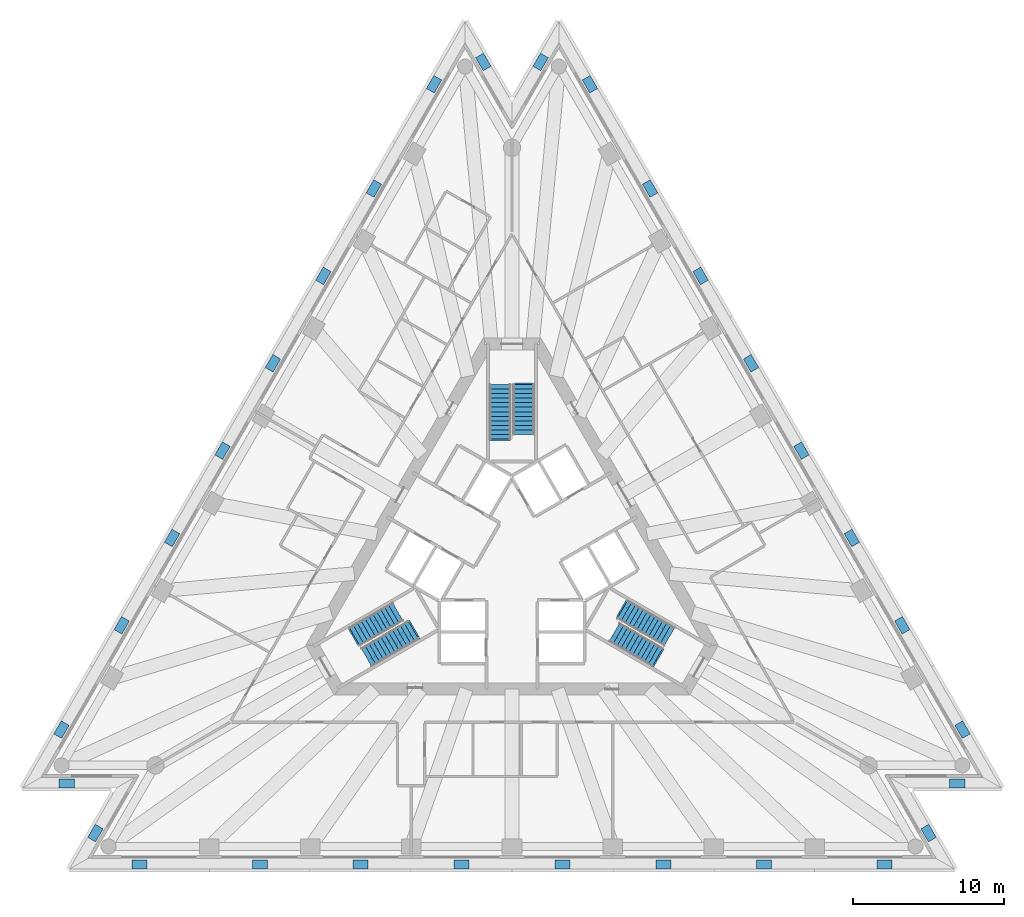
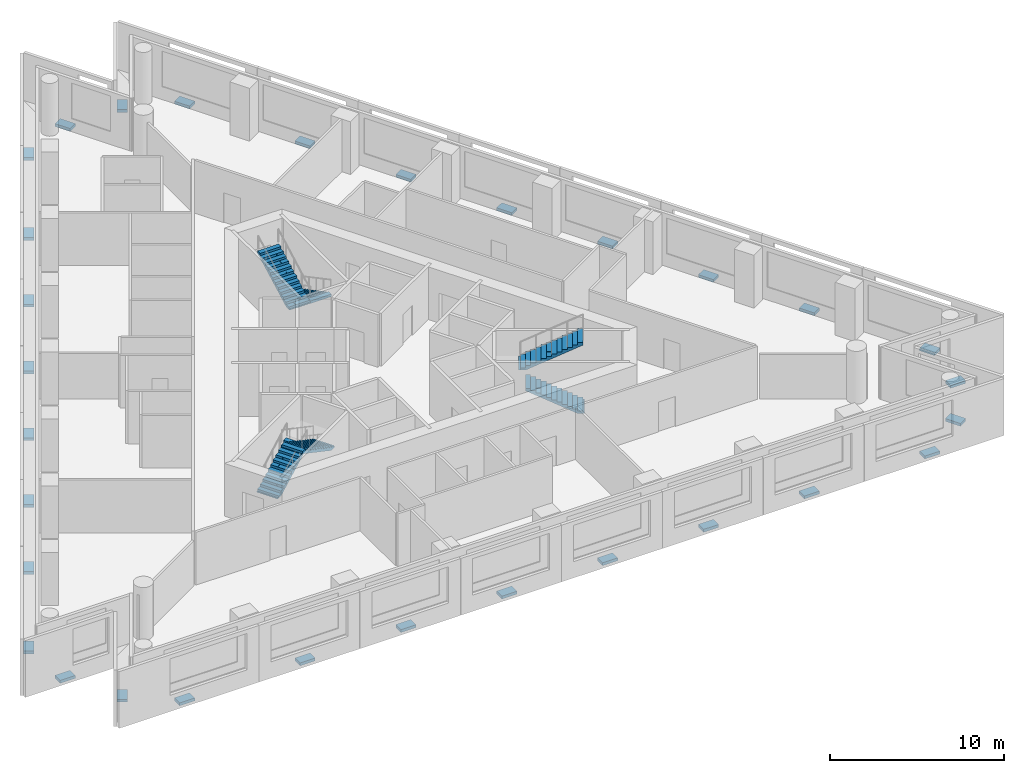
# One storey, part 7 of 9: 30 discrete accessories, 6 stair flights, 3 elements without a shape of their own.
"""IFC4 building model written with IfcOpenShell, lengths in metres."""

from ifc_helpers import new_model, si_unit, direction, frame, origin, origin_2d, place, context, subcontext, project, spatial, polyline, rectangle, outline, extrude, material, type_object, element, aggregate, save


model = new_model("IFC4")

# Units and contexts
model_context = context("Model", 3, precision=1e-05, world=origin(), true_north=direction((0.0, 1.0)))
body_context = subcontext(model_context, "Body", "Model", "MODEL_VIEW")
ifc_project = project(units=[si_unit("LENGTHUNIT", "METRE"), si_unit("AREAUNIT", "SQUARE_METRE"), si_unit("VOLUMEUNIT", "CUBIC_METRE"), si_unit("PLANEANGLEUNIT", "RADIAN"), si_unit("MASSUNIT", "GRAM", prefix="KILO")], contexts=[model_context])

# Site, building, storey
site_placement = place(None, origin())
site = spatial("IfcSite", under=ifc_project, at=site_placement, CompositionType="ELEMENT")
building_placement = place(site_placement, origin())
building = spatial("IfcBuilding", under=site, at=building_placement, Name="Triada Interchange Tower", CompositionType="ELEMENT")
storey_placement = place(building_placement, frame((0.0, 0.0, 144.300048828125)))
storey = spatial("IfcBuildingStorey", under=building, at=storey_placement, Name="L33", CompositionType="ELEMENT", Elevation=144.300048828125)

# Stair, stair flights
ifc_material_1 = material(Name="Concrete C35/45", Category="concrete")
stair_type = type_object("IfcStairType", Name="HALF TURN STAIR 1400", PredefinedType="HALF_TURN_STAIR", material=ifc_material_1)
stair_1_placement = place(storey_placement, origin())
stair_1 = element("IfcStair", 1, at=stair_1_placement, inside=storey, type_object=stair_type, Name="Exit stair S32-1", PredefinedType="HALF_TURN_STAIR")
stair_flight_type = type_object("IfcStairFlightType", Name="STRAIGHT STAIR FLIGHT 1400", PredefinedType="STRAIGHT", material=ifc_material_1)
stair_flight_1_placement = place(storey_placement, frame((0.800048828125, 11.60009765625, 0.0), z_axis=(0.0, 0.0, 1.0), x_axis=(0.0, -1.0, 0.0)))
stair_flight_1 = element("IfcStairFlight", 2, at=stair_flight_1_placement, type_object=stair_flight_type, Name="S32-1 flight 1", NumberOfRisers=12, NumberOfTreads=11, PredefinedType="STRAIGHT", RiserHeight=0.16, TreadLength=0.3, context=body_context, shape_type="SweptSolid", body=[
    extrude(outline(polyline([(-0.10009765625, 0.0), (-0.10009765625, 0.02001953125), (0.0, 0.02001953125), (0.0, 0.159912109375), (0.300048828125, 0.159912109375), (0.300048828125, 0.320068359375), (0.60009765625, 0.320068359375), (0.60009765625, 0.47998046875), (0.89990234375, 0.47998046875), (0.89990234375, 0.639892578125), (1.199951171875, 0.639892578125), (1.199951171875, 0.800048828125), (1.5, 0.800048828125), (1.5, 0.9599609375), (1.800048828125, 0.9599609375), (1.800048828125, 1.1201171875), (2.10009765625, 1.1201171875), (2.10009765625, 1.280029296875), (2.39990234375, 1.280029296875), (2.39990234375, 1.43994140625), (2.699951171875, 1.43994140625), (2.699951171875, 1.60009765625), (3.0, 1.60009765625), (3.0, 1.760009765625), (3.300048828125, 1.760009765625), (3.303955078125, 1.760009765625), (3.303955078125, 1.919921875), (3.303955078125, 1.590087890625), (0.318603515625, 0.0), (-0.10009765625, 0.0)])), frame((0.0, 0.699951171875, 0.0), z_axis=(0.0, -1.0, 0.0), x_axis=(1.0, 0.0, 0.0)), (0.0, 0.0, 1.0), 0.46533203125),
    extrude(outline(polyline([(-0.10009765625, 0.0), (-0.10009765625, 0.02001953125), (0.0, 0.02001953125), (0.0, 0.159912109375), (0.300048828125, 0.159912109375), (0.300048828125, 0.320068359375), (0.60009765625, 0.320068359375), (0.60009765625, 0.47998046875), (0.89990234375, 0.47998046875), (0.89990234375, 0.639892578125), (1.199951171875, 0.639892578125), (1.199951171875, 0.800048828125), (1.5, 0.800048828125), (1.5, 0.9599609375), (1.800048828125, 0.9599609375), (1.800048828125, 1.1201171875), (2.10009765625, 1.1201171875), (2.10009765625, 1.280029296875), (2.39990234375, 1.280029296875), (2.39990234375, 1.43994140625), (2.699951171875, 1.43994140625), (2.699951171875, 1.60009765625), (3.0, 1.60009765625), (3.0, 1.760009765625), (3.300048828125, 1.760009765625), (3.303955078125, 1.760009765625), (3.303955078125, 1.919921875), (3.303955078125, 1.590087890625), (0.318603515625, 0.0), (-0.10009765625, 0.0)])), frame((0.0, 0.232666015625, 0.0), z_axis=(0.0, -1.0, 0.0), x_axis=(1.0, 0.0, 0.0)), (0.0, 0.0, 1.0), 0.46533203125),
    extrude(outline(polyline([(-0.10009765625, 0.0), (-0.10009765625, 0.02001953125), (0.0, 0.02001953125), (0.0, 0.159912109375), (0.300048828125, 0.159912109375), (0.300048828125, 0.320068359375), (0.60009765625, 0.320068359375), (0.60009765625, 0.47998046875), (0.89990234375, 0.47998046875), (0.89990234375, 0.639892578125), (1.199951171875, 0.639892578125), (1.199951171875, 0.800048828125), (1.5, 0.800048828125), (1.5, 0.9599609375), (1.800048828125, 0.9599609375), (1.800048828125, 1.1201171875), (2.10009765625, 1.1201171875), (2.10009765625, 1.280029296875), (2.39990234375, 1.280029296875), (2.39990234375, 1.43994140625), (2.699951171875, 1.43994140625), (2.699951171875, 1.60009765625), (3.0, 1.60009765625), (3.0, 1.760009765625), (3.300048828125, 1.760009765625), (3.303955078125, 1.760009765625), (3.303955078125, 1.919921875), (3.303955078125, 1.590087890625), (0.318603515625, 0.0), (-0.10009765625, 0.0)])), frame((0.0, -0.234619140625, 0.0), z_axis=(0.0, -1.0, 0.0), x_axis=(1.0, 0.0, 0.0)), (0.0, 0.0, 1.0), 0.46533203125),
])
stair_flight_2_placement = place(storey_placement, frame((-0.800048828125, 8.0, 1.919921875), z_axis=(0.0, 0.0, 1.0), x_axis=(0.0, 1.0, 0.0)))
stair_flight_2 = element("IfcStairFlight", 3, at=stair_flight_2_placement, type_object=stair_flight_type, Name="S32-1 flight 2", NumberOfRisers=13, NumberOfTreads=12, PredefinedType="STRAIGHT", RiserHeight=0.16, TreadLength=0.3, context=body_context, shape_type="SweptSolid", body=[
    extrude(outline(polyline([(-0.10009765625, 0.0), (-0.10009765625, 0.02001953125), (0.0, 0.02001953125), (0.0, 0.159912109375), (0.300048828125, 0.159912109375), (0.300048828125, 0.320068359375), (0.60009765625, 0.320068359375), (0.60009765625, 0.47998046875), (0.89990234375, 0.47998046875), (0.89990234375, 0.639892578125), (1.199951171875, 0.639892578125), (1.199951171875, 0.800048828125), (1.5, 0.800048828125), (1.5, 0.9599609375), (1.800048828125, 0.9599609375), (1.800048828125, 1.1201171875), (2.10009765625, 1.1201171875), (2.10009765625, 1.280029296875), (2.39990234375, 1.280029296875), (2.39990234375, 1.43994140625), (2.699951171875, 1.43994140625), (2.699951171875, 1.60009765625), (3.0, 1.60009765625), (3.0, 1.760009765625), (3.300048828125, 1.760009765625), (3.300048828125, 1.919921875), (3.60009765625, 1.919921875), (3.60400390625, 1.919921875), (3.60400390625, 2.080078125), (3.60400390625, 1.75), (0.318603515625, 0.0), (-0.10009765625, 0.0)])), frame((0.0, 0.699951171875, 0.0), z_axis=(0.0, -1.0, 0.0), x_axis=(1.0, 0.0, 0.0)), (0.0, 0.0, 1.0), 0.46533203125),
    extrude(outline(polyline([(-0.10009765625, 0.0), (-0.10009765625, 0.02001953125), (0.0, 0.02001953125), (0.0, 0.159912109375), (0.300048828125, 0.159912109375), (0.300048828125, 0.320068359375), (0.60009765625, 0.320068359375), (0.60009765625, 0.47998046875), (0.89990234375, 0.47998046875), (0.89990234375, 0.639892578125), (1.199951171875, 0.639892578125), (1.199951171875, 0.800048828125), (1.5, 0.800048828125), (1.5, 0.9599609375), (1.800048828125, 0.9599609375), (1.800048828125, 1.1201171875), (2.10009765625, 1.1201171875), (2.10009765625, 1.280029296875), (2.39990234375, 1.280029296875), (2.39990234375, 1.43994140625), (2.699951171875, 1.43994140625), (2.699951171875, 1.60009765625), (3.0, 1.60009765625), (3.0, 1.760009765625), (3.300048828125, 1.760009765625), (3.300048828125, 1.919921875), (3.60009765625, 1.919921875), (3.60400390625, 1.919921875), (3.60400390625, 2.080078125), (3.60400390625, 1.75), (0.318603515625, 0.0), (-0.10009765625, 0.0)])), frame((0.0, 0.232666015625, 0.0), z_axis=(0.0, -1.0, 0.0), x_axis=(1.0, 0.0, 0.0)), (0.0, 0.0, 1.0), 0.46533203125),
    extrude(outline(polyline([(-0.10009765625, 0.0), (-0.10009765625, 0.02001953125), (0.0, 0.02001953125), (0.0, 0.159912109375), (0.300048828125, 0.159912109375), (0.300048828125, 0.320068359375), (0.60009765625, 0.320068359375), (0.60009765625, 0.47998046875), (0.89990234375, 0.47998046875), (0.89990234375, 0.639892578125), (1.199951171875, 0.639892578125), (1.199951171875, 0.800048828125), (1.5, 0.800048828125), (1.5, 0.9599609375), (1.800048828125, 0.9599609375), (1.800048828125, 1.1201171875), (2.10009765625, 1.1201171875), (2.10009765625, 1.280029296875), (2.39990234375, 1.280029296875), (2.39990234375, 1.43994140625), (2.699951171875, 1.43994140625), (2.699951171875, 1.60009765625), (3.0, 1.60009765625), (3.0, 1.760009765625), (3.300048828125, 1.760009765625), (3.300048828125, 1.919921875), (3.60009765625, 1.919921875), (3.60400390625, 1.919921875), (3.60400390625, 2.080078125), (3.60400390625, 1.75), (0.318603515625, 0.0), (-0.10009765625, 0.0)])), frame((0.0, -0.234619140625, 0.0), z_axis=(0.0, -1.0, 0.0), x_axis=(1.0, 0.0, 0.0)), (0.0, 0.0, 1.0), 0.46533203125),
])
aggregate(stair_1, [stair_flight_1, stair_flight_2])

stair_2_placement = place(storey_placement, origin())
stair_2 = element("IfcStair", 4, at=stair_2_placement, inside=storey, type_object=stair_type, Name="Exit stair S32-2", PredefinedType="HALF_TURN_STAIR")
stair_flight_3_placement = place(storey_placement, frame((-10.446044921875, -5.10693359375, 0.0), z_axis=(0.0, 0.0, 1.0), x_axis=(0.866025403784, 0.5, 0.0)))
stair_flight_3 = element("IfcStairFlight", 5, at=stair_flight_3_placement, type_object=stair_flight_type, Name="S32-2 flight 1", NumberOfRisers=12, NumberOfTreads=11, PredefinedType="STRAIGHT", RiserHeight=0.16, TreadLength=0.3, context=body_context, shape_type="SweptSolid", body=[
    extrude(outline(polyline([(-0.10009765625, 0.0), (-0.10009765625, 0.02001953125), (0.0, 0.02001953125), (0.0, 0.159912109375), (0.300048828125, 0.159912109375), (0.300048828125, 0.320068359375), (0.60009765625, 0.320068359375), (0.60009765625, 0.47998046875), (0.89990234375, 0.47998046875), (0.89990234375, 0.639892578125), (1.199951171875, 0.639892578125), (1.199951171875, 0.800048828125), (1.5, 0.800048828125), (1.5, 0.9599609375), (1.800048828125, 0.9599609375), (1.800048828125, 1.1201171875), (2.10009765625, 1.1201171875), (2.10009765625, 1.280029296875), (2.39990234375, 1.280029296875), (2.39990234375, 1.43994140625), (2.699951171875, 1.43994140625), (2.699951171875, 1.60009765625), (3.0, 1.60009765625), (3.0, 1.760009765625), (3.300048828125, 1.760009765625), (3.303955078125, 1.760009765625), (3.303955078125, 1.919921875), (3.303955078125, 1.590087890625), (0.318603515625, 0.0), (-0.10009765625, 0.0)])), frame((0.0, 0.699951171875, 0.0), z_axis=(0.0, -1.0, 0.0), x_axis=(1.0, 0.0, 0.0)), (0.0, 0.0, 1.0), 0.46533203125),
    extrude(outline(polyline([(-0.10009765625, 0.0), (-0.10009765625, 0.02001953125), (0.0, 0.02001953125), (0.0, 0.159912109375), (0.300048828125, 0.159912109375), (0.300048828125, 0.320068359375), (0.60009765625, 0.320068359375), (0.60009765625, 0.47998046875), (0.89990234375, 0.47998046875), (0.89990234375, 0.639892578125), (1.199951171875, 0.639892578125), (1.199951171875, 0.800048828125), (1.5, 0.800048828125), (1.5, 0.9599609375), (1.800048828125, 0.9599609375), (1.800048828125, 1.1201171875), (2.10009765625, 1.1201171875), (2.10009765625, 1.280029296875), (2.39990234375, 1.280029296875), (2.39990234375, 1.43994140625), (2.699951171875, 1.43994140625), (2.699951171875, 1.60009765625), (3.0, 1.60009765625), (3.0, 1.760009765625), (3.300048828125, 1.760009765625), (3.303955078125, 1.760009765625), (3.303955078125, 1.919921875), (3.303955078125, 1.590087890625), (0.318603515625, 0.0), (-0.10009765625, 0.0)])), frame((0.0, 0.232666015625, 0.0), z_axis=(0.0, -1.0, 0.0), x_axis=(1.0, 0.0, 0.0)), (0.0, 0.0, 1.0), 0.46533203125),
    extrude(outline(polyline([(-0.10009765625, 0.0), (-0.10009765625, 0.02001953125), (0.0, 0.02001953125), (0.0, 0.159912109375), (0.300048828125, 0.159912109375), (0.300048828125, 0.320068359375), (0.60009765625, 0.320068359375), (0.60009765625, 0.47998046875), (0.89990234375, 0.47998046875), (0.89990234375, 0.639892578125), (1.199951171875, 0.639892578125), (1.199951171875, 0.800048828125), (1.5, 0.800048828125), (1.5, 0.9599609375), (1.800048828125, 0.9599609375), (1.800048828125, 1.1201171875), (2.10009765625, 1.1201171875), (2.10009765625, 1.280029296875), (2.39990234375, 1.280029296875), (2.39990234375, 1.43994140625), (2.699951171875, 1.43994140625), (2.699951171875, 1.60009765625), (3.0, 1.60009765625), (3.0, 1.760009765625), (3.300048828125, 1.760009765625), (3.303955078125, 1.760009765625), (3.303955078125, 1.919921875), (3.303955078125, 1.590087890625), (0.318603515625, 0.0), (-0.10009765625, 0.0)])), frame((0.0, -0.234619140625, 0.0), z_axis=(0.0, -1.0, 0.0), x_axis=(1.0, 0.0, 0.0)), (0.0, 0.0, 1.0), 0.46533203125),
])
stair_flight_4_placement = place(storey_placement, frame((-6.528076171875, -4.693115234375, 1.919921875), z_axis=(0.0, 0.0, 1.0), x_axis=(-0.866025403784, -0.5, 0.0)))
stair_flight_4 = element("IfcStairFlight", 6, at=stair_flight_4_placement, type_object=stair_flight_type, Name="S32-2 flight 2", NumberOfRisers=13, NumberOfTreads=12, PredefinedType="STRAIGHT", RiserHeight=0.16, TreadLength=0.3, context=body_context, shape_type="SweptSolid", body=[
    extrude(outline(polyline([(-0.10009765625, 0.0), (-0.10009765625, 0.02001953125), (0.0, 0.02001953125), (0.0, 0.159912109375), (0.300048828125, 0.159912109375), (0.300048828125, 0.320068359375), (0.60009765625, 0.320068359375), (0.60009765625, 0.47998046875), (0.89990234375, 0.47998046875), (0.89990234375, 0.639892578125), (1.199951171875, 0.639892578125), (1.199951171875, 0.800048828125), (1.5, 0.800048828125), (1.5, 0.9599609375), (1.800048828125, 0.9599609375), (1.800048828125, 1.1201171875), (2.10009765625, 1.1201171875), (2.10009765625, 1.280029296875), (2.39990234375, 1.280029296875), (2.39990234375, 1.43994140625), (2.699951171875, 1.43994140625), (2.699951171875, 1.60009765625), (3.0, 1.60009765625), (3.0, 1.760009765625), (3.300048828125, 1.760009765625), (3.300048828125, 1.919921875), (3.60009765625, 1.919921875), (3.60400390625, 1.919921875), (3.60400390625, 2.080078125), (3.60400390625, 1.75), (0.318603515625, 0.0), (-0.10009765625, 0.0)])), frame((0.0, 0.699951171875, 0.0), z_axis=(0.0, -1.0, 0.0), x_axis=(1.0, 0.0, 0.0)), (0.0, 0.0, 1.0), 0.46533203125),
    extrude(outline(polyline([(-0.10009765625, 0.0), (-0.10009765625, 0.02001953125), (0.0, 0.02001953125), (0.0, 0.159912109375), (0.300048828125, 0.159912109375), (0.300048828125, 0.320068359375), (0.60009765625, 0.320068359375), (0.60009765625, 0.47998046875), (0.89990234375, 0.47998046875), (0.89990234375, 0.639892578125), (1.199951171875, 0.639892578125), (1.199951171875, 0.800048828125), (1.5, 0.800048828125), (1.5, 0.9599609375), (1.800048828125, 0.9599609375), (1.800048828125, 1.1201171875), (2.10009765625, 1.1201171875), (2.10009765625, 1.280029296875), (2.39990234375, 1.280029296875), (2.39990234375, 1.43994140625), (2.699951171875, 1.43994140625), (2.699951171875, 1.60009765625), (3.0, 1.60009765625), (3.0, 1.760009765625), (3.300048828125, 1.760009765625), (3.300048828125, 1.919921875), (3.60009765625, 1.919921875), (3.60400390625, 1.919921875), (3.60400390625, 2.080078125), (3.60400390625, 1.75), (0.318603515625, 0.0), (-0.10009765625, 0.0)])), frame((0.0, 0.232666015625, 0.0), z_axis=(0.0, -1.0, 0.0), x_axis=(1.0, 0.0, 0.0)), (0.0, 0.0, 1.0), 0.46533203125),
    extrude(outline(polyline([(-0.10009765625, 0.0), (-0.10009765625, 0.02001953125), (0.0, 0.02001953125), (0.0, 0.159912109375), (0.300048828125, 0.159912109375), (0.300048828125, 0.320068359375), (0.60009765625, 0.320068359375), (0.60009765625, 0.47998046875), (0.89990234375, 0.47998046875), (0.89990234375, 0.639892578125), (1.199951171875, 0.639892578125), (1.199951171875, 0.800048828125), (1.5, 0.800048828125), (1.5, 0.9599609375), (1.800048828125, 0.9599609375), (1.800048828125, 1.1201171875), (2.10009765625, 1.1201171875), (2.10009765625, 1.280029296875), (2.39990234375, 1.280029296875), (2.39990234375, 1.43994140625), (2.699951171875, 1.43994140625), (2.699951171875, 1.60009765625), (3.0, 1.60009765625), (3.0, 1.760009765625), (3.300048828125, 1.760009765625), (3.300048828125, 1.919921875), (3.60009765625, 1.919921875), (3.60400390625, 1.919921875), (3.60400390625, 2.080078125), (3.60400390625, 1.75), (0.318603515625, 0.0), (-0.10009765625, 0.0)])), frame((0.0, -0.234619140625, 0.0), z_axis=(0.0, -1.0, 0.0), x_axis=(1.0, 0.0, 0.0)), (0.0, 0.0, 1.0), 0.46533203125),
])
aggregate(stair_2, [stair_flight_3, stair_flight_4])

stair_3_placement = place(storey_placement, origin())
stair_3 = element("IfcStair", 7, at=stair_3_placement, inside=storey, type_object=stair_type, Name="Exit stair S32-3", PredefinedType="HALF_TURN_STAIR")
stair_flight_5_placement = place(storey_placement, frame((9.64599609375, -6.492919921875, 0.0), z_axis=(0.0, 0.0, 1.0), x_axis=(-0.866025403784, 0.5, 0.0)))
stair_flight_5 = element("IfcStairFlight", 8, at=stair_flight_5_placement, type_object=stair_flight_type, Name="S32-3 flight 1", NumberOfRisers=12, NumberOfTreads=11, PredefinedType="STRAIGHT", RiserHeight=0.16, TreadLength=0.3, context=body_context, shape_type="SweptSolid", body=[
    extrude(outline(polyline([(-0.10009765625, 0.0), (-0.10009765625, 0.02001953125), (0.0, 0.02001953125), (0.0, 0.159912109375), (0.300048828125, 0.159912109375), (0.300048828125, 0.320068359375), (0.60009765625, 0.320068359375), (0.60009765625, 0.47998046875), (0.89990234375, 0.47998046875), (0.89990234375, 0.639892578125), (1.199951171875, 0.639892578125), (1.199951171875, 0.800048828125), (1.5, 0.800048828125), (1.5, 0.9599609375), (1.800048828125, 0.9599609375), (1.800048828125, 1.1201171875), (2.10009765625, 1.1201171875), (2.10009765625, 1.280029296875), (2.39990234375, 1.280029296875), (2.39990234375, 1.43994140625), (2.699951171875, 1.43994140625), (2.699951171875, 1.60009765625), (3.0, 1.60009765625), (3.0, 1.760009765625), (3.300048828125, 1.760009765625), (3.303955078125, 1.760009765625), (3.303955078125, 1.919921875), (3.303955078125, 1.590087890625), (0.318603515625, 0.0), (-0.10009765625, 0.0)])), frame((0.0, 0.699951171875, 0.0), z_axis=(0.0, -1.0, 0.0), x_axis=(1.0, 0.0, 0.0)), (0.0, 0.0, 1.0), 0.46533203125),
    extrude(outline(polyline([(-0.10009765625, 0.0), (-0.10009765625, 0.02001953125), (0.0, 0.02001953125), (0.0, 0.159912109375), (0.300048828125, 0.159912109375), (0.300048828125, 0.320068359375), (0.60009765625, 0.320068359375), (0.60009765625, 0.47998046875), (0.89990234375, 0.47998046875), (0.89990234375, 0.639892578125), (1.199951171875, 0.639892578125), (1.199951171875, 0.800048828125), (1.5, 0.800048828125), (1.5, 0.9599609375), (1.800048828125, 0.9599609375), (1.800048828125, 1.1201171875), (2.10009765625, 1.1201171875), (2.10009765625, 1.280029296875), (2.39990234375, 1.280029296875), (2.39990234375, 1.43994140625), (2.699951171875, 1.43994140625), (2.699951171875, 1.60009765625), (3.0, 1.60009765625), (3.0, 1.760009765625), (3.300048828125, 1.760009765625), (3.303955078125, 1.760009765625), (3.303955078125, 1.919921875), (3.303955078125, 1.590087890625), (0.318603515625, 0.0), (-0.10009765625, 0.0)])), frame((0.0, 0.232666015625, 0.0), z_axis=(0.0, -1.0, 0.0), x_axis=(1.0, 0.0, 0.0)), (0.0, 0.0, 1.0), 0.46533203125),
    extrude(outline(polyline([(-0.10009765625, 0.0), (-0.10009765625, 0.02001953125), (0.0, 0.02001953125), (0.0, 0.159912109375), (0.300048828125, 0.159912109375), (0.300048828125, 0.320068359375), (0.60009765625, 0.320068359375), (0.60009765625, 0.47998046875), (0.89990234375, 0.47998046875), (0.89990234375, 0.639892578125), (1.199951171875, 0.639892578125), (1.199951171875, 0.800048828125), (1.5, 0.800048828125), (1.5, 0.9599609375), (1.800048828125, 0.9599609375), (1.800048828125, 1.1201171875), (2.10009765625, 1.1201171875), (2.10009765625, 1.280029296875), (2.39990234375, 1.280029296875), (2.39990234375, 1.43994140625), (2.699951171875, 1.43994140625), (2.699951171875, 1.60009765625), (3.0, 1.60009765625), (3.0, 1.760009765625), (3.300048828125, 1.760009765625), (3.303955078125, 1.760009765625), (3.303955078125, 1.919921875), (3.303955078125, 1.590087890625), (0.318603515625, 0.0), (-0.10009765625, 0.0)])), frame((0.0, -0.234619140625, 0.0), z_axis=(0.0, -1.0, 0.0), x_axis=(1.0, 0.0, 0.0)), (0.0, 0.0, 1.0), 0.46533203125),
])
stair_flight_6_placement = place(storey_placement, frame((7.327880859375, -3.306884765625, 1.919921875), z_axis=(0.0, 0.0, 1.0), x_axis=(0.866025403784, -0.5, 0.0)))
stair_flight_6 = element("IfcStairFlight", 9, at=stair_flight_6_placement, type_object=stair_flight_type, Name="S32-3 flight 2", NumberOfRisers=13, NumberOfTreads=12, PredefinedType="STRAIGHT", RiserHeight=0.16, TreadLength=0.3, context=body_context, shape_type="SweptSolid", body=[
    extrude(outline(polyline([(-0.10009765625, 0.0), (-0.10009765625, 0.02001953125), (0.0, 0.02001953125), (0.0, 0.159912109375), (0.300048828125, 0.159912109375), (0.300048828125, 0.320068359375), (0.60009765625, 0.320068359375), (0.60009765625, 0.47998046875), (0.89990234375, 0.47998046875), (0.89990234375, 0.639892578125), (1.199951171875, 0.639892578125), (1.199951171875, 0.800048828125), (1.5, 0.800048828125), (1.5, 0.9599609375), (1.800048828125, 0.9599609375), (1.800048828125, 1.1201171875), (2.10009765625, 1.1201171875), (2.10009765625, 1.280029296875), (2.39990234375, 1.280029296875), (2.39990234375, 1.43994140625), (2.699951171875, 1.43994140625), (2.699951171875, 1.60009765625), (3.0, 1.60009765625), (3.0, 1.760009765625), (3.300048828125, 1.760009765625), (3.300048828125, 1.919921875), (3.60009765625, 1.919921875), (3.60400390625, 1.919921875), (3.60400390625, 2.080078125), (3.60400390625, 1.75), (0.318603515625, 0.0), (-0.10009765625, 0.0)])), frame((0.0, 0.699951171875, 0.0), z_axis=(0.0, -1.0, 0.0), x_axis=(1.0, 0.0, 0.0)), (0.0, 0.0, 1.0), 0.46533203125),
    extrude(outline(polyline([(-0.10009765625, 0.0), (-0.10009765625, 0.02001953125), (0.0, 0.02001953125), (0.0, 0.159912109375), (0.300048828125, 0.159912109375), (0.300048828125, 0.320068359375), (0.60009765625, 0.320068359375), (0.60009765625, 0.47998046875), (0.89990234375, 0.47998046875), (0.89990234375, 0.639892578125), (1.199951171875, 0.639892578125), (1.199951171875, 0.800048828125), (1.5, 0.800048828125), (1.5, 0.9599609375), (1.800048828125, 0.9599609375), (1.800048828125, 1.1201171875), (2.10009765625, 1.1201171875), (2.10009765625, 1.280029296875), (2.39990234375, 1.280029296875), (2.39990234375, 1.43994140625), (2.699951171875, 1.43994140625), (2.699951171875, 1.60009765625), (3.0, 1.60009765625), (3.0, 1.760009765625), (3.300048828125, 1.760009765625), (3.300048828125, 1.919921875), (3.60009765625, 1.919921875), (3.60400390625, 1.919921875), (3.60400390625, 2.080078125), (3.60400390625, 1.75), (0.318603515625, 0.0), (-0.10009765625, 0.0)])), frame((0.0, 0.232666015625, 0.0), z_axis=(0.0, -1.0, 0.0), x_axis=(1.0, 0.0, 0.0)), (0.0, 0.0, 1.0), 0.46533203125),
    extrude(outline(polyline([(-0.10009765625, 0.0), (-0.10009765625, 0.02001953125), (0.0, 0.02001953125), (0.0, 0.159912109375), (0.300048828125, 0.159912109375), (0.300048828125, 0.320068359375), (0.60009765625, 0.320068359375), (0.60009765625, 0.47998046875), (0.89990234375, 0.47998046875), (0.89990234375, 0.639892578125), (1.199951171875, 0.639892578125), (1.199951171875, 0.800048828125), (1.5, 0.800048828125), (1.5, 0.9599609375), (1.800048828125, 0.9599609375), (1.800048828125, 1.1201171875), (2.10009765625, 1.1201171875), (2.10009765625, 1.280029296875), (2.39990234375, 1.280029296875), (2.39990234375, 1.43994140625), (2.699951171875, 1.43994140625), (2.699951171875, 1.60009765625), (3.0, 1.60009765625), (3.0, 1.760009765625), (3.300048828125, 1.760009765625), (3.300048828125, 1.919921875), (3.60009765625, 1.919921875), (3.60400390625, 1.919921875), (3.60400390625, 2.080078125), (3.60400390625, 1.75), (0.318603515625, 0.0), (-0.10009765625, 0.0)])), frame((0.0, -0.234619140625, 0.0), z_axis=(0.0, -1.0, 0.0), x_axis=(1.0, 0.0, 0.0)), (0.0, 0.0, 1.0), 0.46533203125),
])
aggregate(stair_3, [stair_flight_5, stair_flight_6])

# Discrete accessories
ifc_material_2 = material(Name="Steel S355", Category="steel")
discrete_accessory_type = type_object("IfcDiscreteAccessoryType", Name="Steel bracket outer skin", PredefinedType="BRACKET", material=ifc_material_2)
for number, where, z_axis, x_axis, name in (
    (10, (-5.169921875, 31.52197265625, -0.27001953125), (0.0, 0.0, 1.0), (-0.866021223691, 0.500007240065, 0.0), "Bracket L33 01"),
    (11, (-9.1650390625, 24.60400390625, -0.27001953125), (0.0, 0.0, 1.0), (-0.866021223691, 0.500007240065, 0.0), "Bracket L33 02"),
    (12, (-12.510009765625, 18.81005859375, -0.27001953125), (0.0, 0.0, 1.0), (-0.866021223691, 0.500007240065, 0.0), "Bracket L33 03"),
    (13, (-15.85498046875, 13.01611328125, -0.27001953125), (0.0, 0.0, 1.0), (-0.866021223691, 0.500007240065, 0.0), "Bracket L33 04"),
    (14, (-19.199951171875, 7.222900390625, -0.27001953125), (0.0, 0.0, 1.0), (-0.866021223691, 0.500007240065, 0.0), "Bracket L33 05"),
    (15, (-22.544921875, 1.428955078125, -0.27001953125), (0.0, 0.0, 1.0), (-0.866021223691, 0.500007240065, 0.0), "Bracket L33 06"),
    (16, (-25.889892578125, -4.364990234375, -0.27001953125), (0.0, 0.0, 1.0), (-0.866021223691, 0.500007240065, 0.0), "Bracket L33 07"),
    (17, (-29.884033203125, -11.282958984375, -0.27001953125), (0.0, 0.0, 1.0), (-0.866021223691, 0.500007240065, 0.0), "Bracket L33 08"),
    (18, (-29.531982421875, -14.85498046875, -0.27001953125), (0.0, 0.0, 1.0), (0.0, -1.0, 0.0), "Bracket L33 09"),
    (19, (-27.631103515625, -18.14697265625, -0.27001953125), (0.0, 0.0, 1.0), (-0.866057009967, 0.49994525249, 0.0), "Bracket L33 10"),
    (20, (-24.714111328125, -20.239013671875, -0.27001953125), (0.0, 0.0, 1.0), (0.0, -1.0, 0.0), "Bracket L33 11"),
    (21, (-16.72509765625, -20.239013671875, -0.27001953125), (0.0, 0.0, 1.0), (0.0, -1.0, 0.0), "Bracket L33 12"),
    (22, (-10.034912109375, -20.239013671875, -0.27001953125), (0.0, 0.0, 1.0), (0.0, -1.0, 0.0), "Bracket L33 13"),
    (23, (-3.344970703125, -20.239013671875, -0.27001953125), (0.0, 0.0, 1.0), (0.0, -1.0, 0.0), "Bracket L33 14"),
    (24, (3.344970703125, -20.239013671875, -0.27001953125), (0.0, 0.0, 1.0), (0.0, -1.0, 0.0), "Bracket L33 15"),
    (25, (10.034912109375, -20.239013671875, -0.27001953125), (0.0, 0.0, 1.0), (0.0, -1.0, 0.0), "Bracket L33 16"),
    (26, (16.72509765625, -20.239013671875, -0.27001953125), (0.0, 0.0, 1.0), (0.0, -1.0, 0.0), "Bracket L33 17"),
    (27, (24.714111328125, -20.239013671875, -0.27001953125), (0.0, 0.0, 1.0), (0.0, -1.0, 0.0), "Bracket L33 18"),
    (28, (27.631103515625, -18.14697265625, -0.27001953125), (0.0, 0.0, 1.0), (0.866057009967, 0.49994525249, 0.0), "Bracket L33 19"),
    (29, (29.531982421875, -14.85498046875, -0.27001953125), (0.0, 0.0, 1.0), (0.0, -1.0, 0.0), "Bracket L33 20"),
    (30, (29.884033203125, -11.282958984375, -0.27001953125), (0.0, 0.0, 1.0), (0.866021223691, 0.500007240065, 0.0), "Bracket L33 21"),
    (31, (25.889892578125, -4.364990234375, -0.27001953125), (0.0, 0.0, 1.0), (0.866021223691, 0.500007240065, 0.0), "Bracket L33 22"),
    (32, (22.544921875, 1.428955078125, -0.27001953125), (0.0, 0.0, 1.0), (0.866021223691, 0.500007240065, 0.0), "Bracket L33 23"),
    (33, (19.199951171875, 7.222900390625, -0.27001953125), (0.0, 0.0, 1.0), (0.866021223691, 0.500007240065, 0.0), "Bracket L33 24"),
    (34, (15.85498046875, 13.01611328125, -0.27001953125), (0.0, 0.0, 1.0), (0.866021223691, 0.500007240065, 0.0), "Bracket L33 25"),
    (35, (12.510009765625, 18.81005859375, -0.27001953125), (0.0, 0.0, 1.0), (0.866021223691, 0.500007240065, 0.0), "Bracket L33 26"),
    (36, (9.1650390625, 24.60400390625, -0.27001953125), (0.0, 0.0, 1.0), (0.866021223691, 0.500007240065, 0.0), "Bracket L33 27"),
    (37, (5.169921875, 31.52197265625, -0.27001953125), (0.0, 0.0, 1.0), (0.866021223691, 0.500007240065, 0.0), "Bracket L33 28"),
    (38, (1.89990234375, 33.001953125, -0.27001953125), (0.0, 0.0, 1.0), (-0.866016799183, 0.500014903311, 0.0), "Bracket L33 29"),
    (39, (-1.89990234375, 33.001953125, -0.27001953125), (0.0, 0.0, 1.0), (0.866016799183, 0.500014903311, 0.0), "Bracket L33 30"),
):
    element("IfcDiscreteAccessory", number, at=place(storey_placement, frame(where, z_axis=z_axis, x_axis=x_axis)), inside=storey, type_object=discrete_accessory_type, Name=name, PredefinedType="BRACKET", context=body_context, shape_type="SweptSolid", body=[
        extrude(rectangle(XDim=0.60009765625, YDim=1.0, at=origin_2d()), origin(), (0.0, 0.0, 1.0), 0.199951171875),
    ])

save(model, "model.ifc")
